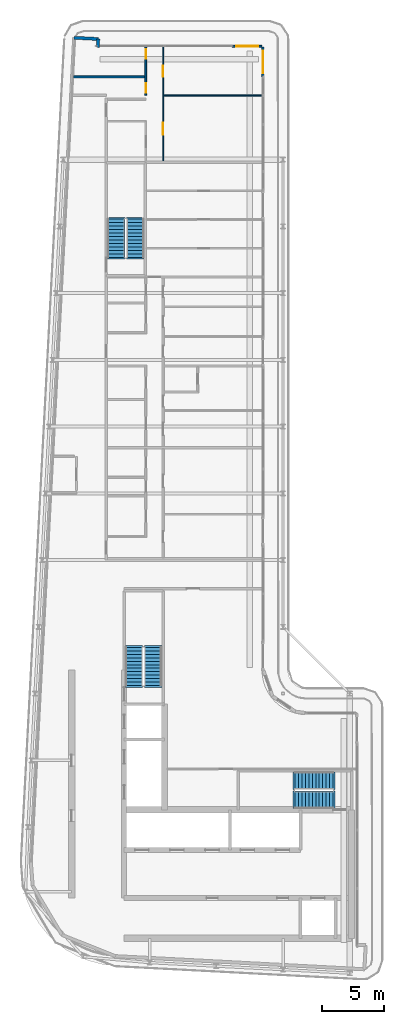
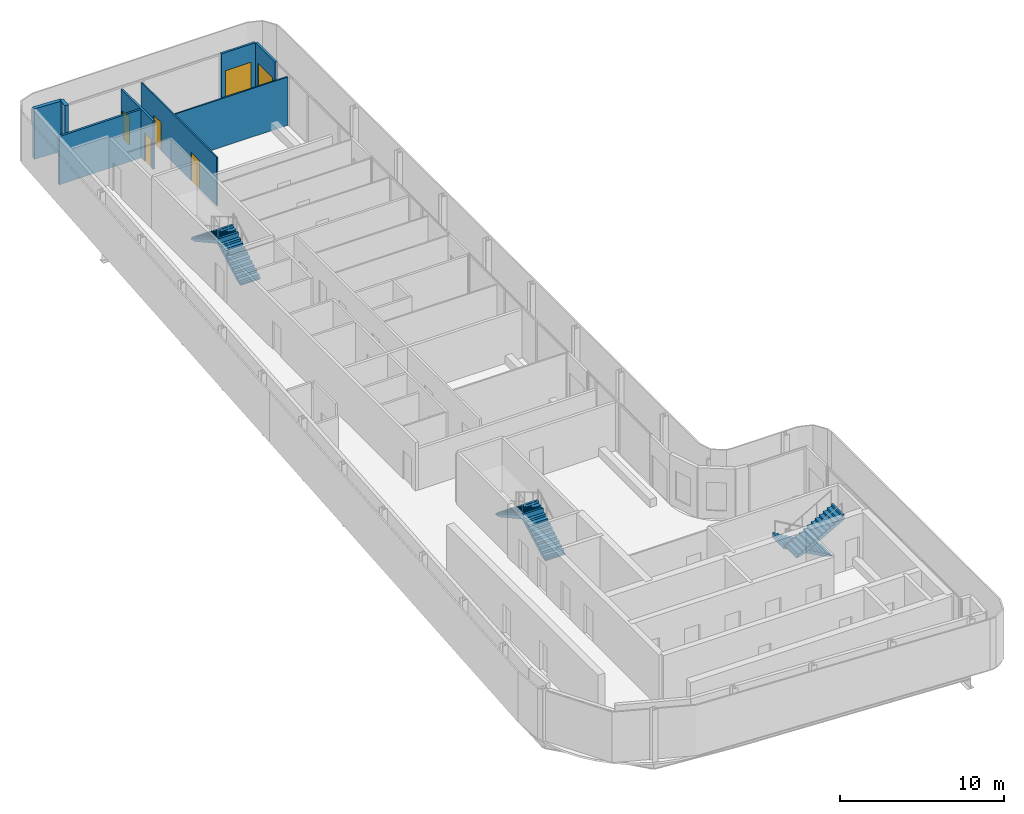
# One storey, part 12 of 18: 8 walls, 6 doors, 6 stair flights, 6 openings, 3 elements without a shape of their own.
"""IFC4 building model written with IfcOpenShell, lengths in metres."""

from ifc_helpers import new_model, si_unit, direction, frame, frame_2d, origin, place, context, subcontext, project, spatial, polyline, rectangle, outline, extrude, source, transform, mapped, material, layer, layer_set, type_object, element, fill, aggregate, save


model = new_model("IFC4")

# Units and contexts
model_context = context("Model", 3, precision=1e-05, world=origin(), true_north=direction((0.0, 1.0)))
body_context = subcontext(model_context, "Body", "Model", "MODEL_VIEW")
ifc_project = project(units=[si_unit("LENGTHUNIT", "METRE"), si_unit("AREAUNIT", "SQUARE_METRE"), si_unit("VOLUMEUNIT", "CUBIC_METRE"), si_unit("PLANEANGLEUNIT", "RADIAN"), si_unit("MASSUNIT", "GRAM", prefix="KILO")], contexts=[model_context])

# Site, building, storey
site_placement = place(None, origin())
site = spatial("IfcSite", under=ifc_project, at=site_placement, CompositionType="ELEMENT")
building_placement = place(site_placement, origin())
building = spatial("IfcBuilding", under=site, at=building_placement, Name="Kheshtan School and Residences Tower", CompositionType="ELEMENT")
storey_placement = place(building_placement, frame((0.0, 0.0, 365.60009765625)))
storey = spatial("IfcBuildingStorey", under=building, at=storey_placement, Name="L86", CompositionType="ELEMENT", Elevation=365.60009765625)

# Walls
ifc_material_1 = material(Name="Concrete C40/50 with ceramic cladding and mineral wool insulation", Category="concrete")
ifc_layer_1 = layer(ifc_material_1, 0.25)
ifc_layer_set_1 = layer_set([ifc_layer_1], Name="External wall 250 ceramic clad")
wall_type_1 = type_object("IfcWallType", Name="External wall 250 ceramic clad", PredefinedType="SOLIDWALL", material=ifc_layer_set_1)
wall_1_placement = place(storey_placement, frame((30.705078125, 98.6640625, 0.0), z_axis=(0.0, 0.0, 1.0), x_axis=(0.998577785791, -0.053314216913, 0.0)))
element("IfcWall", 1, at=wall_1_placement, inside=storey, type_object=wall_type_1, Name="External wall L86 5", PredefinedType="SOLIDWALL", context=body_context, shape_type="SweptSolid", body=[
    extrude(rectangle(XDim=1.95068359375, YDim=0.25, at=frame_2d((0.975341796875, 0.0))), origin(), (0.0, 0.0, 1.0), 3.75),
])
wall_2_placement = place(storey_placement, frame((32.653076171875, 98.56005859375, 0.0), z_axis=(0.0, 0.0, 1.0), x_axis=(-0.054093451632, -0.998535877418, 0.0)))
element("IfcWall", 2, at=wall_2_placement, inside=storey, type_object=wall_type_1, Name="External wall L86 6", PredefinedType="SOLIDWALL", context=body_context, shape_type="SweptSolid", body=[
    extrude(rectangle(XDim=0.66796875, YDim=0.25, at=frame_2d((0.333984375, 0.0))), origin(), (0.0, 0.0, 1.0), 3.75),
])

# Wall, opening, door
ifc_material_2 = material(Name="Aluminium frame wall with insulated infill", Category="aluminium")
ifc_layer_2 = layer(ifc_material_2, 0.14990234375)
ifc_layer_set_2 = layer_set([ifc_layer_2], Name="Glazing frame wall 150")
wall_type_2 = type_object("IfcWallType", Name="Glazing frame wall 150", PredefinedType="SOLIDWALL", material=ifc_layer_set_2)
wall_3_placement = place(storey_placement, frame((43.5, 97.97509765625, 0.0), z_axis=(0.0, 0.0, 1.0), x_axis=(1.0, 0.0, 0.0)))
wall_3 = element("IfcWall", 3, at=wall_3_placement, inside=storey, type_object=wall_type_2, Name="Balcony door wall L86 7.1", PredefinedType="SOLIDWALL", context=body_context, shape_type="SweptSolid", body=[
    extrude(rectangle(XDim=2.39990234375, YDim=0.14990234375, at=frame_2d((1.199951171875, 0.0))), origin(), (0.0, 0.0, 1.0), 3.75),
])
opening_1_placement = place(wall_3_placement, frame((0.300048828125, 0.0, 0.0)))
opening_1 = element("IfcOpeningElement", 4, at=opening_1_placement, cuts=wall_3, Name="Opening BD", PredefinedType="OPENING", context=body_context, shape_type="SweptSolid", body=[
    extrude(rectangle(XDim=1.800048828125, YDim=2.39990234375, at=frame_2d((0.89990234375, 1.199951171875))), frame((0.0, 0.0849609375, 0.0), z_axis=(0.0, -1.0, 0.0), x_axis=(1.0, 0.0, 0.0)), (0.0, 0.0, 1.0), 0.169921875),
])
ifc_material_3 = material(Name="Clear low-e glass in thermally broken aluminium frame", Category="aluminium")
door_type_1 = type_object("IfcDoorType", Name="Balcony sliding door", OperationType="SLIDING_TO_LEFT", PredefinedType="DOOR", material=ifc_material_3)
shared_shape_1 = source(origin(), body_context, "Body", "SweptSolid", [
    extrude(rectangle(XDim=1.800048828125, YDim=2.39990234375, at=frame_2d((0.89990234375, 1.199951171875))), frame((0.0, 0.02490234375, 0.0), z_axis=(0.0, -1.0, 0.0), x_axis=(1.0, 0.0, 0.0)), (0.0, 0.0, 1.0), 0.050048828125),
])
door_1_placement = place(opening_1_placement, origin())
door_1 = element("IfcDoor", 5, at=door_1_placement, inside=storey, type_object=door_type_1, Name="Balcony door L86 7.1", OperationType="SLIDING_TO_LEFT", OverallHeight=2.39990234375, OverallWidth=1.800048828125, PredefinedType="DOOR", context=body_context, shape_type="MappedRepresentation", body=[
    mapped(shared_shape_1, transform((0.0, 0.0, 0.0), x_axis=(1.0, 0.0, 0.0), y_axis=(0.0, 1.0, 0.0), z_axis=(0.0, 0.0, 1.0), scale=1.0)),
])
fill(opening_1, door_1)

wall_4_placement = place(storey_placement, frame((45.97509765625, 97.89990234375, 0.0), z_axis=(0.0, 0.0, 1.0), x_axis=(0.0, -1.0, 0.0)))
wall_4 = element("IfcWall", 6, at=wall_4_placement, inside=storey, type_object=wall_type_2, Name="Balcony door wall L86 8.1", PredefinedType="SOLIDWALL", context=body_context, shape_type="SweptSolid", body=[
    extrude(rectangle(XDim=2.39990234375, YDim=0.14990234375, at=frame_2d((1.199951171875, 0.0))), origin(), (0.0, 0.0, 1.0), 3.75),
])
opening_2_placement = place(wall_4_placement, frame((0.300048828125, 0.0, 0.0)))
opening_2 = element("IfcOpeningElement", 7, at=opening_2_placement, cuts=wall_4, Name="Opening BD", PredefinedType="OPENING", context=body_context, shape_type="SweptSolid", body=[
    extrude(rectangle(XDim=1.800048828125, YDim=2.39990234375, at=frame_2d((0.89990234375, 1.199951171875))), frame((0.0, 0.0849609375, 0.0), z_axis=(0.0, -1.0, 0.0), x_axis=(1.0, 0.0, 0.0)), (0.0, 0.0, 1.0), 0.169921875),
])
door_2_placement = place(opening_2_placement, origin())
door_2 = element("IfcDoor", 8, at=door_2_placement, inside=storey, type_object=door_type_1, Name="Balcony door L86 8.1", OperationType="SLIDING_TO_LEFT", OverallHeight=2.39990234375, OverallWidth=1.800048828125, PredefinedType="DOOR", context=body_context, shape_type="MappedRepresentation", body=[
    mapped(shared_shape_1, transform((0.0, 0.0, 0.0), x_axis=(1.0, 0.0, 0.0), y_axis=(0.0, 1.0, 0.0), z_axis=(0.0, 0.0, 1.0), scale=1.0)),
])
fill(opening_2, door_2)

# Wall, openings, doors
ifc_material_4 = material(Name="Gypsum board on steel studs", Category="steel")
ifc_layer_3 = layer(ifc_material_4, 0.10009765625)
ifc_layer_set_3 = layer_set([ifc_layer_3], Name="Gypsum partition 100")
wall_type_3 = type_object("IfcWallType", Name="Gypsum partition 100", PredefinedType="PARTITIONING", material=ifc_layer_set_3)
wall_5_placement = place(storey_placement, frame((37.89990234375, 88.699951171875, 0.0), z_axis=(0.0, 0.0, 1.0), x_axis=(0.0, 1.0, 0.0)))
wall_5 = element("IfcWall", 9, at=wall_5_placement, inside=storey, type_object=wall_type_3, Name="Partition L86-029", PredefinedType="PARTITIONING", context=body_context, shape_type="SweptSolid", body=[
    extrude(rectangle(XDim=9.199951171875, YDim=0.10009765625, at=frame_2d((4.60009765625, 0.0))), origin(), (0.0, 0.0, 1.0), 3.599853515625),
])
opening_3_placement = place(wall_5_placement, frame((6.800048828125, 0.0, 0.0)))
opening_3 = element("IfcOpeningElement", 10, at=opening_3_placement, cuts=wall_5, Name="Opening D85-023", PredefinedType="OPENING", context=body_context, shape_type="SweptSolid", body=[
    extrude(rectangle(XDim=0.89990234375, YDim=2.10009765625, at=frame_2d((0.449951171875, 1.050048828125))), frame((0.0, 0.06005859375, 0.0), z_axis=(0.0, -1.0, 0.0), x_axis=(1.0, 0.0, 0.0)), (0.0, 0.0, 1.0), 0.1201171875),
])
opening_4_placement = place(wall_5_placement, frame((2.10009765625, 0.0, 0.0)))
opening_4 = element("IfcOpeningElement", 11, at=opening_4_placement, cuts=wall_5, Name="Opening D85-026", PredefinedType="OPENING", context=body_context, shape_type="SweptSolid", body=[
    extrude(rectangle(XDim=1.0, YDim=2.10009765625, at=frame_2d((0.5, 1.050048828125))), frame((0.0, 0.06005859375, 0.0), z_axis=(0.0, -1.0, 0.0), x_axis=(1.0, 0.0, 0.0)), (0.0, 0.0, 1.0), 0.1201171875),
])
ifc_material_5 = material(Name="Veneered timber door leaf", Category="wood")
door_type_2 = type_object("IfcDoorType", Name="Door 1000 x 2100", OperationType="SINGLE_SWING_LEFT", PredefinedType="DOOR", material=ifc_material_5)
shared_shape_2 = source(origin(), body_context, "Body", "SweptSolid", [
    extrude(rectangle(XDim=1.0, YDim=2.10009765625, at=frame_2d((0.5, 1.050048828125))), frame((0.0, 0.02490234375, 0.0), z_axis=(0.0, -1.0, 0.0), x_axis=(1.0, 0.0, 0.0)), (0.0, 0.0, 1.0), 0.050048828125),
])
door_3_placement = place(opening_4_placement, origin())
door_3 = element("IfcDoor", 12, at=door_3_placement, inside=storey, type_object=door_type_2, Name="Door D85-026", OperationType="SINGLE_SWING_LEFT", OverallHeight=2.10009765625, OverallWidth=1.0, PredefinedType="DOOR", context=body_context, shape_type="MappedRepresentation", body=[
    mapped(shared_shape_2, transform((0.0, 0.0, 0.0), x_axis=(1.0, 0.0, 0.0), y_axis=(0.0, 1.0, 0.0), z_axis=(0.0, 0.0, 1.0), scale=1.0)),
])
fill(opening_4, door_3)
door_type_3 = type_object("IfcDoorType", Name="Door 900 x 2100", OperationType="SINGLE_SWING_LEFT", PredefinedType="DOOR", material=ifc_material_5)
shared_shape_3 = source(origin(), body_context, "Body", "SweptSolid", [
    extrude(rectangle(XDim=0.89990234375, YDim=2.10009765625, at=frame_2d((0.449951171875, 1.050048828125))), frame((0.0, 0.02490234375, 0.0), z_axis=(0.0, -1.0, 0.0), x_axis=(1.0, 0.0, 0.0)), (0.0, 0.0, 1.0), 0.050048828125),
])
door_4_placement = place(opening_3_placement, origin())
door_4 = element("IfcDoor", 13, at=door_4_placement, inside=storey, type_object=door_type_3, Name="Door D85-023", OperationType="SINGLE_SWING_RIGHT", OverallHeight=2.10009765625, OverallWidth=0.89990234375, PredefinedType="DOOR", context=body_context, shape_type="MappedRepresentation", body=[
    mapped(shared_shape_3, transform((0.0, 0.0, 0.0), x_axis=(1.0, 0.0, 0.0), y_axis=(0.0, 1.0, 0.0), z_axis=(0.0, 0.0, 1.0), scale=1.0)),
])
fill(opening_3, door_4)

# Walls
wall_6_placement = place(storey_placement, frame((37.949951171875, 94.0, 0.0), z_axis=(0.0, 0.0, 1.0), x_axis=(1.0, 0.0, 0.0)))
element("IfcWall", 14, at=wall_6_placement, inside=storey, type_object=wall_type_3, Name="Partition L86-030", PredefinedType="PARTITIONING", context=body_context, shape_type="SweptSolid", body=[
    extrude(rectangle(XDim=7.949951171875, YDim=0.10009765625, at=frame_2d((3.97509765625, 0.0))), origin(), (0.0, 0.0, 1.0), 3.599853515625),
])
ifc_material_6 = material(Name="Moisture-resistant gypsum board on steel studs", Category="steel")
ifc_layer_4 = layer(ifc_material_6, 0.14990234375)
ifc_layer_set_4 = layer_set([ifc_layer_4], Name="Wet-room partition 150")
wall_type_4 = type_object("IfcWallType", Name="Wet-room partition 150", PredefinedType="PARTITIONING", material=ifc_layer_set_4)
wall_7_placement = place(storey_placement, frame((30.6640625, 95.5, 0.0), z_axis=(0.0, 0.0, 1.0), x_axis=(1.0, 0.0, 0.0)))
element("IfcWall", 15, at=wall_7_placement, inside=storey, type_object=wall_type_4, Name="Partition L86-001", PredefinedType="PARTITIONING", context=body_context, shape_type="SweptSolid", body=[
    extrude(rectangle(XDim=5.760986328125, YDim=0.14990234375, at=frame_2d((2.88037109375, 0.0))), origin(), (0.0, 0.0, 1.0), 3.599853515625),
])

# Wall, openings, doors
wall_8_placement = place(storey_placement, frame((36.5, 94.0, 0.0), z_axis=(0.0, 0.0, 1.0), x_axis=(0.0, 1.0, 0.0)))
wall_8 = element("IfcWall", 16, at=wall_8_placement, inside=storey, type_object=wall_type_4, Name="Partition L86-023", PredefinedType="PARTITIONING", context=body_context, shape_type="SweptSolid", body=[
    extrude(rectangle(XDim=3.89990234375, YDim=0.14990234375, at=frame_2d((1.949951171875, 0.0))), origin(), (0.0, 0.0, 1.0), 3.599853515625),
])
opening_5_placement = place(wall_8_placement, frame((2.949951171875, 0.0, 0.0)))
opening_5 = element("IfcOpeningElement", 17, at=opening_5_placement, cuts=wall_8, Name="Opening D85-022", PredefinedType="OPENING", context=body_context, shape_type="SweptSolid", body=[
    extrude(rectangle(XDim=0.800048828125, YDim=2.10009765625, at=frame_2d((0.39990234375, 1.050048828125))), frame((0.0, 0.0849609375, 0.0), z_axis=(0.0, -1.0, 0.0), x_axis=(1.0, 0.0, 0.0)), (0.0, 0.0, 1.0), 0.169921875),
])
opening_6_placement = place(wall_8_placement, frame((0.199951171875, 0.0, 0.0)))
opening_6 = element("IfcOpeningElement", 18, at=opening_6_placement, cuts=wall_8, Name="Opening D85-027", PredefinedType="OPENING", context=body_context, shape_type="SweptSolid", body=[
    extrude(rectangle(XDim=0.800048828125, YDim=2.10009765625, at=frame_2d((0.39990234375, 1.050048828125))), frame((0.0, 0.0849609375, 0.0), z_axis=(0.0, -1.0, 0.0), x_axis=(1.0, 0.0, 0.0)), (0.0, 0.0, 1.0), 0.169921875),
])
door_type_4 = type_object("IfcDoorType", Name="Door 800 x 2100", OperationType="SINGLE_SWING_LEFT", PredefinedType="DOOR", material=ifc_material_5)
shared_shape_4 = source(origin(), body_context, "Body", "SweptSolid", [
    extrude(rectangle(XDim=0.800048828125, YDim=2.10009765625, at=frame_2d((0.39990234375, 1.050048828125))), frame((0.0, 0.02490234375, 0.0), z_axis=(0.0, -1.0, 0.0), x_axis=(1.0, 0.0, 0.0)), (0.0, 0.0, 1.0), 0.050048828125),
])
door_5_placement = place(opening_5_placement, origin())
door_5 = element("IfcDoor", 19, at=door_5_placement, inside=storey, type_object=door_type_4, Name="Door D85-022", OperationType="SINGLE_SWING_LEFT", OverallHeight=2.10009765625, OverallWidth=0.800048828125, PredefinedType="DOOR", context=body_context, shape_type="MappedRepresentation", body=[
    mapped(shared_shape_4, transform((0.0, 0.0, 0.0), x_axis=(1.0, 0.0, 0.0), y_axis=(0.0, 1.0, 0.0), z_axis=(0.0, 0.0, 1.0), scale=1.0)),
])
fill(opening_5, door_5)
door_6_placement = place(opening_6_placement, origin())
door_6 = element("IfcDoor", 20, at=door_6_placement, inside=storey, type_object=door_type_4, Name="Door D85-027", OperationType="SINGLE_SWING_RIGHT", OverallHeight=2.10009765625, OverallWidth=0.800048828125, PredefinedType="DOOR", context=body_context, shape_type="MappedRepresentation", body=[
    mapped(shared_shape_4, transform((0.0, 0.0, 0.0), x_axis=(1.0, 0.0, 0.0), y_axis=(0.0, 1.0, 0.0), z_axis=(0.0, 0.0, 1.0), scale=1.0)),
])
fill(opening_6, door_6)

# Stair, stair flights
ifc_material_7 = material(Name="Concrete C40/50", Category="concrete")
stair_type = type_object("IfcStairType", Name="Exit stair, half-turn", PredefinedType="HALF_TURN_STAIR", material=ifc_material_7)
stair_1_placement = place(storey_placement, origin())
stair_1 = element("IfcStair", 21, at=stair_1_placement, inside=storey, type_object=stair_type, Name="L86 Protected Exit Stair ST1", PredefinedType="HALF_TURN_STAIR")
ifc_layer_5 = layer(ifc_material_7, 0.14990234375)
ifc_layer_set_5 = layer_set([ifc_layer_5], Name="Stair flight 1400 Concrete C40/50")
stair_flight_type = type_object("IfcStairFlightType", Name="Stair flight 1400 Concrete C40/50", PredefinedType="STRAIGHT", material=ifc_layer_set_5)
stair_flight_1_placement = place(storey_placement, frame((51.64990234375, 38.550048828125, 0.0), z_axis=(0.0, 0.0, 1.0), x_axis=(-1.0, 0.0, 0.0)))
stair_flight_1 = element("IfcStairFlight", 22, at=stair_flight_1_placement, type_object=stair_flight_type, Name="ST1 flight 1", NumberOfRisers=12, NumberOfTreads=11, PredefinedType="STRAIGHT", RiserHeight=0.1625, TreadLength=0.28, context=body_context, shape_type="SweptSolid", body=[
    extrude(outline(polyline([(-0.14990234375, -0.10009765625), (-0.14990234375, 0.0), (0.0, 0.0), (0.0, 0.16259765625), (0.280029296875, 0.16259765625), (0.280029296875, 0.324951171875), (0.56005859375, 0.324951171875), (0.56005859375, 0.487548828125), (0.840087890625, 0.487548828125), (0.840087890625, 0.64990234375), (1.1201171875, 0.64990234375), (1.1201171875, 0.8125), (1.39990234375, 0.8125), (1.39990234375, 0.97509765625), (1.679931640625, 0.97509765625), (1.679931640625, 1.137451171875), (1.9599609375, 1.137451171875), (1.9599609375, 1.300048828125), (2.239990234375, 1.300048828125), (2.239990234375, 1.46240234375), (2.52001953125, 1.46240234375), (2.52001953125, 1.625), (2.800048828125, 1.625), (2.800048828125, 1.78759765625), (3.080078125, 1.78759765625), (3.080078125, 1.949951171875), (3.080078125, 1.969970703125), (3.22998046875, 1.969970703125), (3.22998046875, 1.6142578125), (0.298583984375, 0.0), (-0.14990234375, -0.10009765625)])), frame((0.0, 0.699951171875, 0.0), z_axis=(0.0, -1.0, 0.0), x_axis=(1.0, 0.0, 0.0)), (0.0, 0.0, 1.0), 1.39990234375),
])
stair_flight_2_placement = place(storey_placement, frame((48.570068359375, 37.0, 1.949951171875), z_axis=(0.0, 0.0, 1.0), x_axis=(1.0, 0.0, 0.0)))
stair_flight_2 = element("IfcStairFlight", 23, at=stair_flight_2_placement, type_object=stair_flight_type, Name="ST1 flight 2", NumberOfRisers=12, NumberOfTreads=11, PredefinedType="STRAIGHT", RiserHeight=0.1625, TreadLength=0.28, context=body_context, shape_type="SweptSolid", body=[
    extrude(outline(polyline([(-0.14990234375, -0.10009765625), (-0.14990234375, 0.0), (0.0, 0.0), (0.0, 0.16259765625), (0.280029296875, 0.16259765625), (0.280029296875, 0.324951171875), (0.56005859375, 0.324951171875), (0.56005859375, 0.487548828125), (0.840087890625, 0.487548828125), (0.840087890625, 0.64990234375), (1.1201171875, 0.64990234375), (1.1201171875, 0.8125), (1.39990234375, 0.8125), (1.39990234375, 0.97509765625), (1.679931640625, 0.97509765625), (1.679931640625, 1.137451171875), (1.9599609375, 1.137451171875), (1.9599609375, 1.300048828125), (2.239990234375, 1.300048828125), (2.239990234375, 1.46240234375), (2.52001953125, 1.46240234375), (2.52001953125, 1.625), (2.800048828125, 1.625), (2.800048828125, 1.78759765625), (3.080078125, 1.78759765625), (3.080078125, 1.949951171875), (3.080078125, 1.969970703125), (3.22998046875, 1.969970703125), (3.22998046875, 1.6142578125), (0.298583984375, 0.0), (-0.14990234375, -0.10009765625)])), frame((0.0, 0.699951171875, 0.0), z_axis=(0.0, -1.0, 0.0), x_axis=(1.0, 0.0, 0.0)), (0.0, 0.0, 1.0), 1.39990234375),
])
aggregate(stair_1, [stair_flight_1, stair_flight_2])

stair_2_placement = place(storey_placement, origin())
stair_2 = element("IfcStair", 24, at=stair_2_placement, inside=storey, type_object=stair_type, Name="L86 Protected Exit Stair ST2", PredefinedType="HALF_TURN_STAIR")
stair_flight_3_placement = place(storey_placement, frame((37.10009765625, 46.25, 0.0), z_axis=(0.0, 0.0, 1.0), x_axis=(0.0, 1.0, 0.0)))
stair_flight_3 = element("IfcStairFlight", 25, at=stair_flight_3_placement, type_object=stair_flight_type, Name="ST2 flight 1", NumberOfRisers=12, NumberOfTreads=11, PredefinedType="STRAIGHT", RiserHeight=0.1625, TreadLength=0.28, context=body_context, shape_type="SweptSolid", body=[
    extrude(outline(polyline([(-0.14990234375, -0.10009765625), (-0.14990234375, 0.0), (0.0, 0.0), (0.0, 0.16259765625), (0.280029296875, 0.16259765625), (0.280029296875, 0.324951171875), (0.56005859375, 0.324951171875), (0.56005859375, 0.487548828125), (0.840087890625, 0.487548828125), (0.840087890625, 0.64990234375), (1.1201171875, 0.64990234375), (1.1201171875, 0.8125), (1.39990234375, 0.8125), (1.39990234375, 0.97509765625), (1.679931640625, 0.97509765625), (1.679931640625, 1.137451171875), (1.9599609375, 1.137451171875), (1.9599609375, 1.300048828125), (2.239990234375, 1.300048828125), (2.239990234375, 1.46240234375), (2.52001953125, 1.46240234375), (2.52001953125, 1.625), (2.800048828125, 1.625), (2.800048828125, 1.78759765625), (3.080078125, 1.78759765625), (3.080078125, 1.949951171875), (3.080078125, 1.969970703125), (3.22998046875, 1.969970703125), (3.22998046875, 1.6142578125), (0.298583984375, 0.0), (-0.14990234375, -0.10009765625)])), frame((0.0, 0.699951171875, 0.0), z_axis=(0.0, -1.0, 0.0), x_axis=(1.0, 0.0, 0.0)), (0.0, 0.0, 1.0), 1.39990234375),
])
stair_flight_4_placement = place(storey_placement, frame((35.550048828125, 49.330078125, 1.949951171875), z_axis=(0.0, 0.0, 1.0), x_axis=(0.0, -1.0, 0.0)))
stair_flight_4 = element("IfcStairFlight", 26, at=stair_flight_4_placement, type_object=stair_flight_type, Name="ST2 flight 2", NumberOfRisers=12, NumberOfTreads=11, PredefinedType="STRAIGHT", RiserHeight=0.1625, TreadLength=0.28, context=body_context, shape_type="SweptSolid", body=[
    extrude(outline(polyline([(-0.14990234375, -0.10009765625), (-0.14990234375, 0.0), (0.0, 0.0), (0.0, 0.16259765625), (0.280029296875, 0.16259765625), (0.280029296875, 0.324951171875), (0.56005859375, 0.324951171875), (0.56005859375, 0.487548828125), (0.840087890625, 0.487548828125), (0.840087890625, 0.64990234375), (1.1201171875, 0.64990234375), (1.1201171875, 0.8125), (1.39990234375, 0.8125), (1.39990234375, 0.97509765625), (1.679931640625, 0.97509765625), (1.679931640625, 1.137451171875), (1.9599609375, 1.137451171875), (1.9599609375, 1.300048828125), (2.239990234375, 1.300048828125), (2.239990234375, 1.46240234375), (2.52001953125, 1.46240234375), (2.52001953125, 1.625), (2.800048828125, 1.625), (2.800048828125, 1.78759765625), (3.080078125, 1.78759765625), (3.080078125, 1.949951171875), (3.080078125, 1.969970703125), (3.22998046875, 1.969970703125), (3.22998046875, 1.6142578125), (0.298583984375, 0.0), (-0.14990234375, -0.10009765625)])), frame((0.0, 0.699951171875, 0.0), z_axis=(0.0, -1.0, 0.0), x_axis=(1.0, 0.0, 0.0)), (0.0, 0.0, 1.0), 1.39990234375),
])
aggregate(stair_2, [stair_flight_3, stair_flight_4])

stair_3_placement = place(storey_placement, origin())
stair_3 = element("IfcStair", 27, at=stair_3_placement, inside=storey, type_object=stair_type, Name="L86 Protected Exit Stair ST3", PredefinedType="HALF_TURN_STAIR")
stair_flight_5_placement = place(storey_placement, frame((35.64990234375, 80.89990234375, 0.0), z_axis=(0.0, 0.0, 1.0), x_axis=(0.0, 1.0, 0.0)))
stair_flight_5 = element("IfcStairFlight", 28, at=stair_flight_5_placement, type_object=stair_flight_type, Name="ST3 flight 1", NumberOfRisers=12, NumberOfTreads=11, PredefinedType="STRAIGHT", RiserHeight=0.1625, TreadLength=0.28, context=body_context, shape_type="SweptSolid", body=[
    extrude(outline(polyline([(-0.14990234375, -0.10009765625), (-0.14990234375, 0.0), (0.0, 0.0), (0.0, 0.16259765625), (0.280029296875, 0.16259765625), (0.280029296875, 0.324951171875), (0.56005859375, 0.324951171875), (0.56005859375, 0.487548828125), (0.840087890625, 0.487548828125), (0.840087890625, 0.64990234375), (1.1201171875, 0.64990234375), (1.1201171875, 0.8125), (1.39990234375, 0.8125), (1.39990234375, 0.97509765625), (1.679931640625, 0.97509765625), (1.679931640625, 1.137451171875), (1.9599609375, 1.137451171875), (1.9599609375, 1.300048828125), (2.239990234375, 1.300048828125), (2.239990234375, 1.46240234375), (2.52001953125, 1.46240234375), (2.52001953125, 1.625), (2.800048828125, 1.625), (2.800048828125, 1.78759765625), (3.080078125, 1.78759765625), (3.080078125, 1.949951171875), (3.080078125, 1.969970703125), (3.22998046875, 1.969970703125), (3.22998046875, 1.6142578125), (0.298583984375, 0.0), (-0.14990234375, -0.10009765625)])), frame((0.0, 0.699951171875, 0.0), z_axis=(0.0, -1.0, 0.0), x_axis=(1.0, 0.0, 0.0)), (0.0, 0.0, 1.0), 1.39990234375),
])
stair_flight_6_placement = place(storey_placement, frame((34.10009765625, 83.97998046875, 1.949951171875), z_axis=(0.0, 0.0, 1.0), x_axis=(0.0, -1.0, 0.0)))
stair_flight_6 = element("IfcStairFlight", 29, at=stair_flight_6_placement, type_object=stair_flight_type, Name="ST3 flight 2", NumberOfRisers=12, NumberOfTreads=11, PredefinedType="STRAIGHT", RiserHeight=0.1625, TreadLength=0.28, context=body_context, shape_type="SweptSolid", body=[
    extrude(outline(polyline([(-0.14990234375, -0.10009765625), (-0.14990234375, 0.0), (0.0, 0.0), (0.0, 0.16259765625), (0.280029296875, 0.16259765625), (0.280029296875, 0.324951171875), (0.56005859375, 0.324951171875), (0.56005859375, 0.487548828125), (0.840087890625, 0.487548828125), (0.840087890625, 0.64990234375), (1.1201171875, 0.64990234375), (1.1201171875, 0.8125), (1.39990234375, 0.8125), (1.39990234375, 0.97509765625), (1.679931640625, 0.97509765625), (1.679931640625, 1.137451171875), (1.9599609375, 1.137451171875), (1.9599609375, 1.300048828125), (2.239990234375, 1.300048828125), (2.239990234375, 1.46240234375), (2.52001953125, 1.46240234375), (2.52001953125, 1.625), (2.800048828125, 1.625), (2.800048828125, 1.78759765625), (3.080078125, 1.78759765625), (3.080078125, 1.949951171875), (3.080078125, 1.969970703125), (3.22998046875, 1.969970703125), (3.22998046875, 1.6142578125), (0.298583984375, 0.0), (-0.14990234375, -0.10009765625)])), frame((0.0, 0.699951171875, 0.0), z_axis=(0.0, -1.0, 0.0), x_axis=(1.0, 0.0, 0.0)), (0.0, 0.0, 1.0), 1.39990234375),
])
aggregate(stair_3, [stair_flight_5, stair_flight_6])

save(model, "model.ifc")
